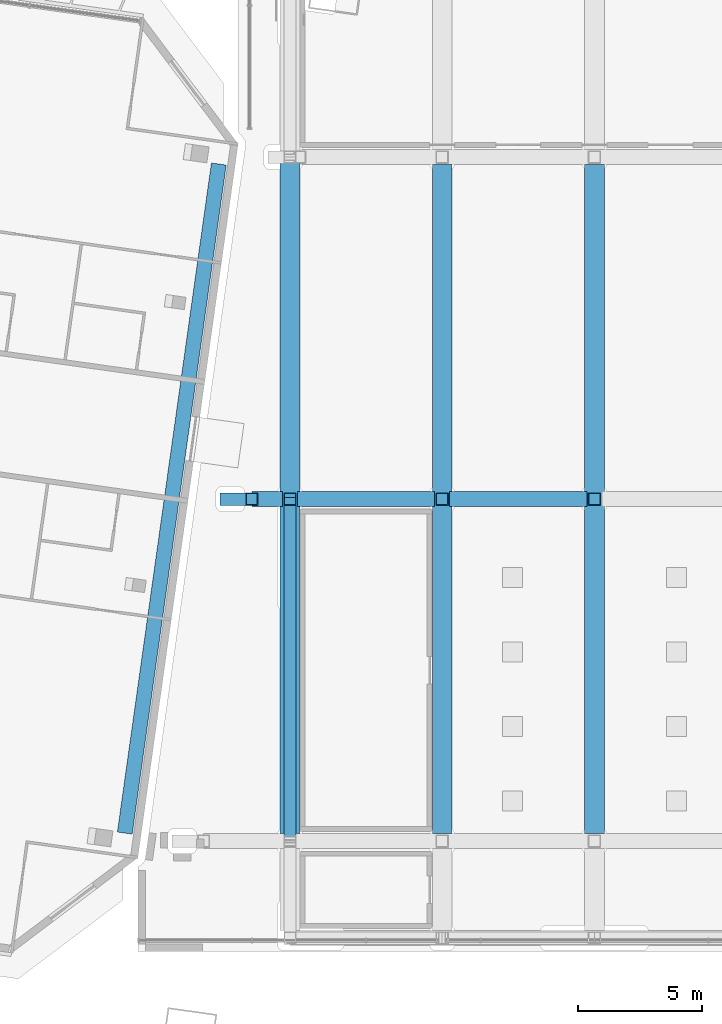
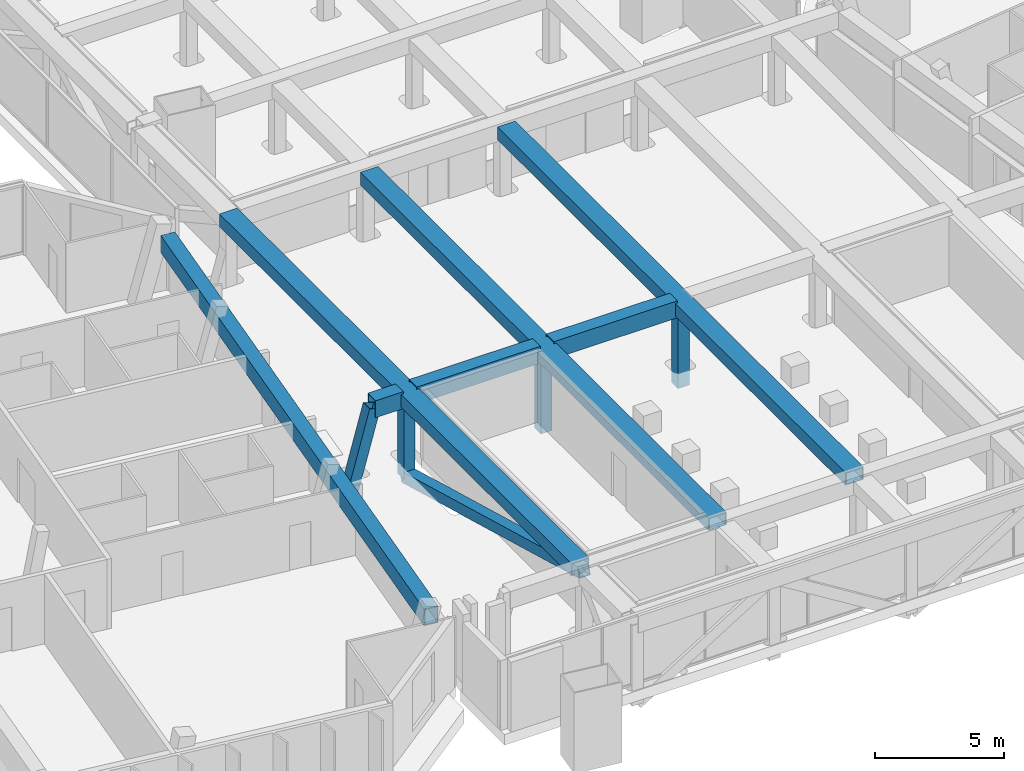
# One storey, part 6 of 30: 11 members, 1 beam.
"""IFC4 building model written with IfcOpenShell, lengths in metres."""

from ifc_helpers import new_model, si_unit, direction, frame, origin, origin_2d, place, context, subcontext, project, spatial, hollow_rectangle, extrude, material, material_profile, profile_set, type_object, element, save


model = new_model("IFC4")

# Units and contexts
model_context = context("Model", 3, precision=1e-05, world=origin(), true_north=direction((0.0, 1.0)))
body_context = subcontext(model_context, "Body", "Model", "MODEL_VIEW")
ifc_project = project(units=[si_unit("LENGTHUNIT", "METRE"), si_unit("AREAUNIT", "SQUARE_METRE"), si_unit("VOLUMEUNIT", "CUBIC_METRE"), si_unit("PLANEANGLEUNIT", "RADIAN"), si_unit("MASSUNIT", "GRAM", prefix="KILO")], contexts=[model_context])

# Site, building, storey
site_placement = place(None, origin())
site = spatial("IfcSite", under=ifc_project, at=site_placement, CompositionType="ELEMENT")
building_placement = place(site_placement, origin())
building = spatial("IfcBuilding", under=site, at=building_placement, Name="Mirante Cascada Hotel Towers", CompositionType="ELEMENT")
storey_placement = place(building_placement, frame((0.0, 0.0, 258.4)))
storey = spatial("IfcBuildingStorey", under=building, at=storey_placement, Name="L62", CompositionType="ELEMENT", Elevation=258.4)

# Beam
ifc_material_1 = material(Name="Steel ASTM A572 Gr 50", Category="steel")
ifc_material_profile_1 = material_profile(ifc_material_1, hollow_rectangle(XDim=0.6, YDim=0.8, WallThickness=0.04, at=origin_2d()), Name="Box beam 800x600x40 ASTM A572 Gr 50")
ifc_profile_set_1 = profile_set([ifc_material_profile_1], Name="Steel ASTM A572 Gr 50")
beam_type = type_object("IfcBeamType", Name="Box beam 800x600x40 ASTM A572 Gr 50", PredefinedType="BEAM", material=ifc_profile_set_1)
beam_placement = place(storey_placement, frame((-18.9, -17.2886, 2.9), z_axis=(0.1391761, 0.9902677, 0.0), x_axis=(-0.9902677, 0.1391761, 0.0)))
element("IfcBeam", 1, at=beam_placement, inside=storey, type_object=beam_type, Name="Deck end beam T1 L63", PredefinedType="BEAM", context=body_context, shape_type="SweptSolid", body=[
    extrude(hollow_rectangle(XDim=0.6, YDim=0.8, WallThickness=0.04, at=origin_2d()), origin(), (0.0, 0.0, 1.0), 27.19),
])

# Members
ifc_material_2 = material(Name="Steel ASTM A572 Gr 50", Category="steel")
ifc_material_profile_2 = material_profile(ifc_material_2, hollow_rectangle(XDim=0.6, YDim=0.8, WallThickness=0.04, at=origin_2d()), Name="Box chord 800x600x40 ASTM A572 Gr 50")
ifc_profile_set_2 = profile_set([ifc_material_profile_2], Name="Steel ASTM A572 Gr 50")
member_type_1 = type_object("IfcMemberType", Name="Box chord 800x600x40 ASTM A572 Gr 50", PredefinedType="CHORD", material=ifc_profile_set_2)
member_1_placement = place(storey_placement, frame((-12.2514, -17.3153, 2.9), z_axis=(0.0, 1.0, 0.0), x_axis=(0.0, 0.0, 1.0)))
element("IfcMember", 2, at=member_1_placement, inside=storey, type_object=member_type_1, Name="dchord sky park L63 2", PredefinedType="CHORD", context=body_context, shape_type="SweptSolid", body=[
    extrude(hollow_rectangle(XDim=0.6, YDim=0.8, WallThickness=0.04, at=origin_2d()), origin(), (0.0, 0.0, 1.0), 27.2295),
])
for number, where, z_axis, x_axis, name in (
    (3, (-6.1257, -17.3153, 2.9), (0.0, 1.0, 0.0), (0.0, 0.0, 1.0), "dchord sky park L63 6"),
    (4, (0.0, -17.3153, 2.9), (0.0, 1.0, 0.0), (0.0, 0.0, 1.0), "dchord sky park L63 10"),
):
    element("IfcMember", number, at=place(storey_placement, frame(where, z_axis=z_axis, x_axis=x_axis)), inside=storey, type_object=member_type_1, Name=name, PredefinedType="CHORD", context=body_context, shape_type="SweptSolid", body=[
        extrude(hollow_rectangle(XDim=0.6, YDim=0.8, WallThickness=0.04, at=origin_2d()), origin(), (0.0, 0.0, 1.0), 26.9295),
    ])
member_2_placement = place(storey_placement, frame((-13.7878, -3.8505, 2.9), z_axis=(1.0, 0.0, 0.0), x_axis=(0.0, 1.0, 0.0)))
element("IfcMember", 5, at=member_2_placement, inside=storey, type_object=member_type_1, Name="dchord sky park L63 22", PredefinedType="CHORD", context=body_context, shape_type="SweptSolid", body=[
    extrude(hollow_rectangle(XDim=0.6, YDim=0.8, WallThickness=0.04, at=origin_2d()), origin(), (0.0, 0.0, 1.0), 1.2364),
])
for number, where, z_axis, x_axis, name in (
    (6, (-11.9514, -3.8505, 2.9), (1.0, 0.0, 0.0), (0.0, 1.0, 0.0), "dchord sky park L63 23"),
    (7, (-5.8257, -3.8505, 2.9), (1.0, 0.0, 0.0), (0.0, 1.0, 0.0), "dchord sky park L63 24"),
):
    element("IfcMember", number, at=place(storey_placement, frame(where, z_axis=z_axis, x_axis=x_axis)), inside=storey, type_object=member_type_1, Name=name, PredefinedType="CHORD", context=body_context, shape_type="SweptSolid", body=[
        extrude(hollow_rectangle(XDim=0.6, YDim=0.8, WallThickness=0.04, at=origin_2d()), origin(), (0.0, 0.0, 1.0), 5.5257),
    ])
ifc_material_3 = material(Name="Steel ASTM A572 Gr 50", Category="steel")
ifc_material_profile_3 = material_profile(ifc_material_3, hollow_rectangle(XDim=0.5, YDim=0.5, WallThickness=0.03, at=origin_2d()), Name="Box diagonal 500x500x30 ASTM A572 Gr 50")
ifc_profile_set_3 = profile_set([ifc_material_profile_3], Name="Steel ASTM A572 Gr 50")
member_type_2 = type_object("IfcMemberType", Name="Box diagonal 500x500x30 ASTM A572 Gr 50", PredefinedType="BRACE", material=ifc_profile_set_3)
member_3_placement = place(storey_placement, frame((-12.2514, -3.8505, -0.9), z_axis=(0.0, -0.9639421, 0.2661121), x_axis=(1.0, 0.0, 0.0)))
element("IfcMember", 8, at=member_3_placement, inside=storey, type_object=member_type_2, Name="ddiag sky park L62 2", PredefinedType="BRACE", context=body_context, shape_type="SweptSolid", body=[
    extrude(hollow_rectangle(XDim=0.5, YDim=0.5, WallThickness=0.03, at=origin_2d()), origin(), (0.0, 0.0, 1.0), 14.2797),
])
ifc_material_4 = material(Name="Steel ASTM A572 Gr 50", Category="steel")
ifc_material_profile_4 = material_profile(ifc_material_4, hollow_rectangle(XDim=0.5, YDim=0.5, WallThickness=0.03, at=origin_2d()), Name="Box post 500x500x30 ASTM A572 Gr 50")
ifc_profile_set_4 = profile_set([ifc_material_profile_4], Name="Steel ASTM A572 Gr 50")
member_type_3 = type_object("IfcMemberType", Name="Box post 500x500x30 ASTM A572 Gr 50", PredefinedType="POST", material=ifc_profile_set_4)
for number, where, z_axis, x_axis, name in (
    (9, (-12.2514, -3.8505, -0.9), (0.0, 0.0, 1.0), (1.0, 0.0, 0.0), "dpost sky park L62 3"),
    (10, (-6.1257, -3.8505, -0.9), (0.0, 0.0, 1.0), (1.0, 0.0, 0.0), "dpost sky park L62 10"),
    (11, (0.0, -3.8505, -0.9), (0.0, 0.0, 1.0), (1.0, 0.0, 0.0), "dpost sky park L62 17"),
):
    element("IfcMember", number, at=place(storey_placement, frame(where, z_axis=z_axis, x_axis=x_axis)), inside=storey, type_object=member_type_3, Name=name, PredefinedType="POST", context=body_context, shape_type="SweptSolid", body=[
        extrude(hollow_rectangle(XDim=0.5, YDim=0.5, WallThickness=0.03, at=origin_2d()), origin(), (0.0, 0.0, 1.0), 3.8),
    ])
member_4_placement = place(storey_placement, frame((-14.8302, -3.8505, -0.9), z_axis=(0.264543, 0.0, 0.9643739), x_axis=(0.0, 1.0, 0.0)))
element("IfcMember", 12, at=member_4_placement, inside=storey, type_object=member_type_3, Name="dpost sky park L62 38", PredefinedType="POST", context=body_context, shape_type="SweptSolid", body=[
    extrude(hollow_rectangle(XDim=0.5, YDim=0.5, WallThickness=0.03, at=origin_2d()), origin(), (0.0, 0.0, 1.0), 3.9404),
])

save(model, "model.ifc")
